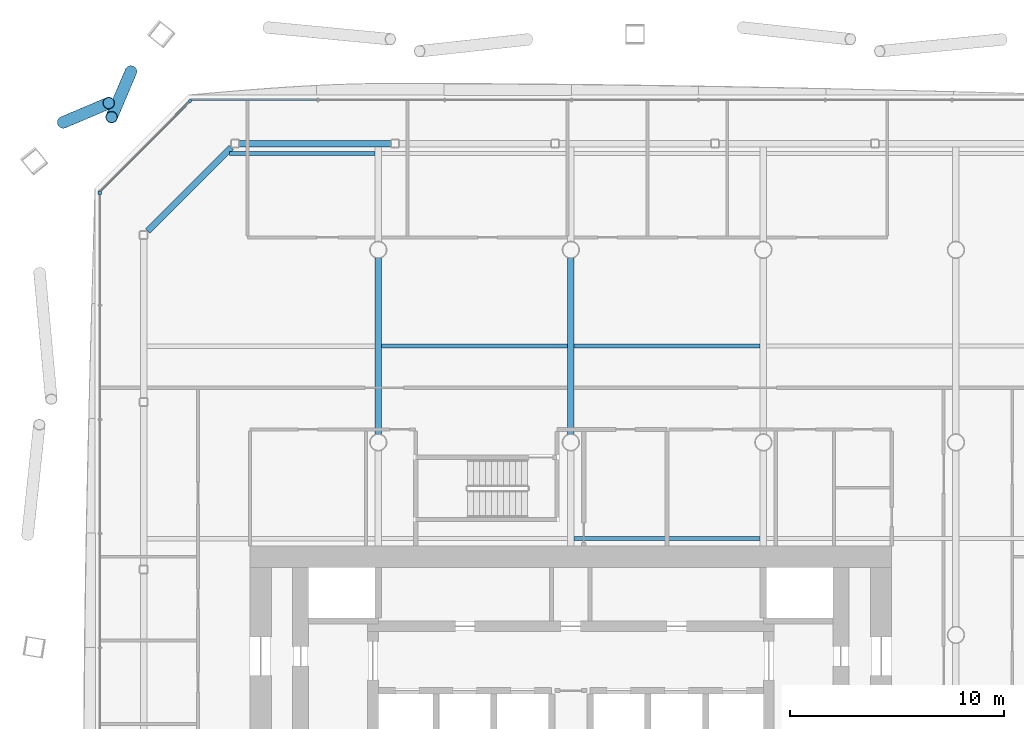
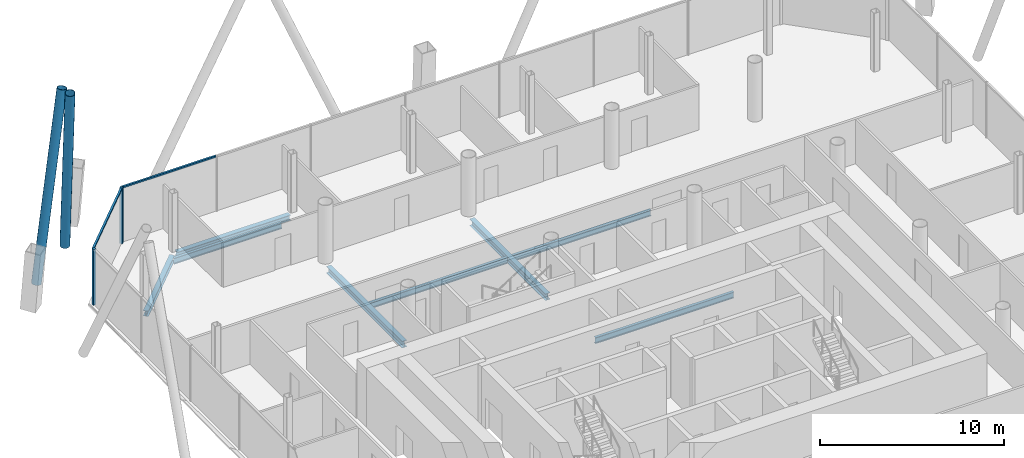
# One storey, part 9 of 22: 8 beams, 6 members, 3 elements without a shape of their own.
"""IFC4 building model written with IfcOpenShell, lengths in metres."""

from ifc_helpers import new_model, si_unit, direction, frame, origin, origin_2d, place, context, subcontext, project, spatial, rectangle, hollow_circle, i_section, extrude, material, material_profile, profile_set, type_object, element, aggregate, save


model = new_model("IFC4")

# Units and contexts
model_context = context("Model", 3, precision=1e-05, world=origin(), true_north=direction((0.0, 1.0)))
body_context = subcontext(model_context, "Body", "Model", "MODEL_VIEW")
ifc_project = project(units=[si_unit("LENGTHUNIT", "METRE"), si_unit("AREAUNIT", "SQUARE_METRE"), si_unit("VOLUMEUNIT", "CUBIC_METRE"), si_unit("PLANEANGLEUNIT", "RADIAN"), si_unit("MASSUNIT", "GRAM", prefix="KILO")], contexts=[model_context])

# Site, building, storey
site_placement = place(None, origin())
site = spatial("IfcSite", under=ifc_project, at=site_placement, CompositionType="ELEMENT")
building_placement = place(site_placement, origin())
building = spatial("IfcBuilding", under=site, at=building_placement, Name="Tskaro Facet Tower", CompositionType="ELEMENT")
storey_placement = place(building_placement, frame((0.0, 0.0, 73.800048828125)))
storey = spatial("IfcBuildingStorey", under=building, at=storey_placement, Name="L17", CompositionType="ELEMENT", Elevation=73.800048828125)

# Members
ifc_material_1 = material(Name="Steel S355J2H", Category="steel")
ifc_material_profile_1 = material_profile(ifc_material_1, hollow_circle(Radius=0.279541015625, WallThickness=0.02490234375, at=origin_2d()), Name="CHS 559x25")
ifc_profile_set_1 = profile_set([ifc_material_profile_1], Name="Steel S355J2H")
member_type_1 = type_object("IfcMemberType", Name="CHS 559x25 brace", PredefinedType="BRACE", material=ifc_profile_set_1)
for number, where, z_axis, x_axis, name in (
    (1, (-20.5634765625, 26.331787109375, 0.0), (-0.075619078607, -0.178546183977, 0.98102141421), (0.920818558847, -0.389991258471, 0.0), "CHS 559x25 XB09A/2"),
    (2, (-23.72705078125, 23.958740234375, 0.0), (0.178546183977, 0.075619078607, 0.98102141421), (-0.389991258471, 0.920818558847, 0.0), "CHS 559x25 XB09B/2"),
):
    element("IfcMember", number, at=place(storey_placement, frame(where, z_axis=z_axis, x_axis=x_axis)), inside=storey, type_object=member_type_1, Name=name, PredefinedType="BRACE", context=body_context, shape_type="SweptSolid", body=[
        extrude(hollow_circle(Radius=0.279541015625, WallThickness=0.02490234375, at=origin_2d()), origin(), (0.0, 0.0, 1.0), 11.92626953125),
    ])

# Curtain wall, member
ifc_material_2 = material(Name="Bronze anodised aluminium 6063-T6", Category="aluminium")
curtain_wall_type = type_object("IfcCurtainWallType", Name="Bronze office curtain wall (FW1)", PredefinedType="NOTDEFINED", material=ifc_material_2)
curtain_wall_1_placement = place(storey_placement, origin())
curtain_wall_1 = element("IfcCurtainWall", 3, at=curtain_wall_1_placement, inside=storey, type_object=curtain_wall_type, Name="FW1 north-west facet L17", PredefinedType="NOTDEFINED")
ifc_material_profile_2 = material_profile(ifc_material_2, rectangle(XDim=0.159912109375, YDim=0.159912109375, at=origin_2d()), Name="Corner post 160x160")
ifc_profile_set_2 = profile_set([ifc_material_profile_2], Name="Bronze anodised aluminium 6063-T6")
member_type_2 = type_object("IfcMemberType", Name="FW1 bronze corner post 160x160", PredefinedType="MULLION", material=ifc_profile_set_2)
member_1_placement = place(storey_placement, frame((-17.800537109375, 24.954345703125, 0.0), z_axis=(0.0, 0.0, 1.0), x_axis=(-0.707106781187, -0.707106781187, 0.0)))
member_1 = element("IfcMember", 4, at=member_1_placement, type_object=member_type_2, Name="FW1 north-west corner post", PredefinedType="MULLION", context=body_context, shape_type="SweptSolid", body=[
    extrude(rectangle(XDim=0.159912109375, YDim=0.159912109375, at=origin_2d()), origin(), (0.0, 0.0, 1.0), 3.699951171875),
])

curtain_wall_2_placement = place(storey_placement, origin())
curtain_wall_2 = element("IfcCurtainWall", 5, at=curtain_wall_2_placement, inside=storey, type_object=curtain_wall_type, Name="FW1 west facet L17", PredefinedType="NOTDEFINED")
member_2_placement = place(storey_placement, frame((-22.010986328125, 20.6640625, 0.0), z_axis=(0.0, 0.0, 1.0), x_axis=(0.0, -1.0, 0.0)))
member_2 = element("IfcMember", 6, at=member_2_placement, type_object=member_type_2, Name="FW1 west corner post", PredefinedType="MULLION", context=body_context, shape_type="SweptSolid", body=[
    extrude(rectangle(XDim=0.159912109375, YDim=0.159912109375, at=origin_2d()), origin(), (0.0, 0.0, 1.0), 3.699951171875),
])
aggregate(curtain_wall_2, [member_2])

curtain_wall_3_placement = place(storey_placement, origin())
curtain_wall_3 = element("IfcCurtainWall", 7, at=curtain_wall_3_placement, inside=storey, type_object=curtain_wall_type, Name="FW1 north facet L17", PredefinedType="NOTDEFINED")
ifc_material_profile_3 = material_profile(ifc_material_2, rectangle(XDim=0.1201171875, YDim=0.10009765625, at=origin_2d()), Name="Transom 120x100")
ifc_profile_set_3 = profile_set([ifc_material_profile_3], Name="Bronze anodised aluminium 6063-T6")
member_type_3 = type_object("IfcMemberType", Name="FW1 bronze transom 120x100", PredefinedType="USERDEFINED", material=ifc_profile_set_3)
member_3_placement = place(storey_placement, frame((-11.84716796875, 25.010986328125, 3.64990234375), z_axis=(-1.0, 0.0, 0.0), x_axis=(0.0, -1.0, 0.0)))
member_3 = element("IfcMember", 8, at=member_3_placement, type_object=member_type_3, Name="FW1 north transom 7.1", ObjectType="TRANSOM", PredefinedType="USERDEFINED", context=body_context, shape_type="SweptSolid", body=[
    extrude(rectangle(XDim=0.1201171875, YDim=0.10009765625, at=origin_2d()), origin(), (0.0, 0.0, 1.0), 5.896728515625),
])
aggregate(curtain_wall_3, [member_3])

# Member
member_4_placement = place(storey_placement, frame((-17.857177734375, 24.89794921875, 3.64990234375), z_axis=(-0.707086001347, -0.707127560416, 0.0), x_axis=(0.707127560416, -0.707086001347, 0.0)))
member_4 = element("IfcMember", 9, at=member_4_placement, type_object=member_type_3, Name="FW1 north-west transom 1.1", ObjectType="TRANSOM", PredefinedType="USERDEFINED", context=body_context, shape_type="SweptSolid", body=[
    extrude(rectangle(XDim=0.1201171875, YDim=0.10009765625, at=origin_2d()), origin(), (0.0, 0.0, 1.0), 5.87451171875),
])

aggregate(curtain_wall_1, [member_1, member_4])

# Beams
ifc_material_3 = material(Name="Steel S355J2", Category="steel")
ifc_material_profile_4 = material_profile(ifc_material_3, i_section(OverallWidth=0.300048828125, OverallDepth=0.360107421875, WebThickness=0.012451171875, FlangeThickness=0.0224609375, FilletRadius=0.027099609375, at=origin_2d()), Name="HE 360 B")
ifc_profile_set_4 = profile_set([ifc_material_profile_4], Name="Steel S355J2")
beam_type_1 = type_object("IfcBeamType", Name="HE 360 B ring beam", PredefinedType="BEAM", material=ifc_profile_set_4)
beam_1_placement = place(storey_placement, frame((-8.39404296875, 22.965087890625, -0.320068359375), z_axis=(-1.0, 0.0, 0.0), x_axis=(0.0, -1.0, 0.0)))
element("IfcBeam", 10, at=beam_1_placement, inside=storey, type_object=beam_type_1, Name="HE 360 B EB17-2", PredefinedType="BEAM", context=body_context, shape_type="SweptSolid", body=[
    extrude(i_section(OverallWidth=0.300048828125, OverallDepth=0.360107421875, WebThickness=0.012451171875, FlangeThickness=0.0224609375, FilletRadius=0.027099609375, at=origin_2d()), origin(), (0.0, 0.0, 1.0), 7.115966796875),
])
beam_2_placement = place(storey_placement, frame((-15.8759765625, 22.779052734375, -0.320068359375), z_axis=(-0.707106781187, -0.707106781187, 0.0), x_axis=(0.707106781187, -0.707106781187, 0.0)))
element("IfcBeam", 11, at=beam_2_placement, inside=storey, type_object=beam_type_1, Name="HE 360 B EB18-2", PredefinedType="BEAM", context=body_context, shape_type="SweptSolid", body=[
    extrude(i_section(OverallWidth=0.300048828125, OverallDepth=0.360107421875, WebThickness=0.012451171875, FlangeThickness=0.0224609375, FilletRadius=0.027099609375, at=origin_2d()), origin(), (0.0, 0.0, 1.0), 5.519775390625),
])
ifc_material_profile_5 = material_profile(ifc_material_3, i_section(OverallWidth=0.300048828125, OverallDepth=0.43994140625, WebThickness=0.011474609375, FlangeThickness=0.02099609375, FilletRadius=0.027099609375, at=origin_2d()), Name="HE 450 A")
ifc_profile_set_5 = profile_set([ifc_material_profile_5], Name="Steel S355J2")
beam_type_2 = type_object("IfcBeamType", Name="HE 450 A girder", PredefinedType="BEAM", material=ifc_profile_set_5)
for number, where, z_axis, x_axis, name in (
    (12, (-9.0, 9.37646484375, -0.360107421875), (0.0, 1.0, 0.0), (-1.0, 0.0, 0.0), "HE 450 A GB3-4-2"),
    (13, (0.0, 9.37646484375, -0.360107421875), (0.0, 1.0, 0.0), (-1.0, 0.0, 0.0), "HE 450 A GB4-4-2"),
):
    element("IfcBeam", number, at=place(storey_placement, frame(where, z_axis=z_axis, x_axis=x_axis)), inside=storey, type_object=beam_type_2, Name=name, PredefinedType="BEAM", context=body_context, shape_type="SweptSolid", body=[
        extrude(i_section(OverallWidth=0.300048828125, OverallDepth=0.43994140625, WebThickness=0.011474609375, FlangeThickness=0.02099609375, FilletRadius=0.027099609375, at=origin_2d()), origin(), (0.0, 0.0, 1.0), 8.2470703125),
    ])
ifc_material_profile_6 = material_profile(ifc_material_3, i_section(OverallWidth=0.179931640625, OverallDepth=0.39990234375, WebThickness=0.008544921875, FlangeThickness=0.013427734375, FilletRadius=0.02099609375, at=origin_2d()), Name="IPE 400")
ifc_profile_set_6 = profile_set([ifc_material_profile_6], Name="Steel S355J2")
beam_type_3 = type_object("IfcBeamType", Name="IPE 400 secondary beam", PredefinedType="BEAM", material=ifc_profile_set_6)
for number, where, z_axis, x_axis, name in (
    (14, (0.14990234375, 4.5, -0.340087890625), (1.0, 0.0, 0.0), (0.0, 1.0, 0.0), "IPE 400 SB4a-3-2"),
    (15, (-8.85009765625, 13.5, -0.340087890625), (1.0, 0.0, 0.0), (0.0, 1.0, 0.0), "IPE 400 SB5a-2-2"),
    (16, (0.14990234375, 13.5, -0.340087890625), (1.0, 0.0, 0.0), (0.0, 1.0, 0.0), "IPE 400 SB5a-3-2"),
):
    element("IfcBeam", number, at=place(storey_placement, frame(where, z_axis=z_axis, x_axis=x_axis)), inside=storey, type_object=beam_type_3, Name=name, PredefinedType="BEAM", context=body_context, shape_type="SweptSolid", body=[
        extrude(i_section(OverallWidth=0.179931640625, OverallDepth=0.39990234375, WebThickness=0.008544921875, FlangeThickness=0.013427734375, FilletRadius=0.02099609375, at=origin_2d()), origin(), (0.0, 0.0, 1.0), 8.7001953125),
    ])
beam_3_placement = place(storey_placement, frame((-15.943115234375, 22.5, -0.340087890625), z_axis=(1.0, 0.0, 0.0), x_axis=(0.0, 1.0, 0.0)))
element("IfcBeam", 17, at=beam_3_placement, inside=storey, type_object=beam_type_3, Name="IPE 400 SB6a-1-2", PredefinedType="BEAM", context=body_context, shape_type="SweptSolid", body=[
    extrude(i_section(OverallWidth=0.179931640625, OverallDepth=0.39990234375, WebThickness=0.008544921875, FlangeThickness=0.013427734375, FilletRadius=0.02099609375, at=origin_2d()), origin(), (0.0, 0.0, 1.0), 6.793212890625),
])

save(model, "model.ifc")
